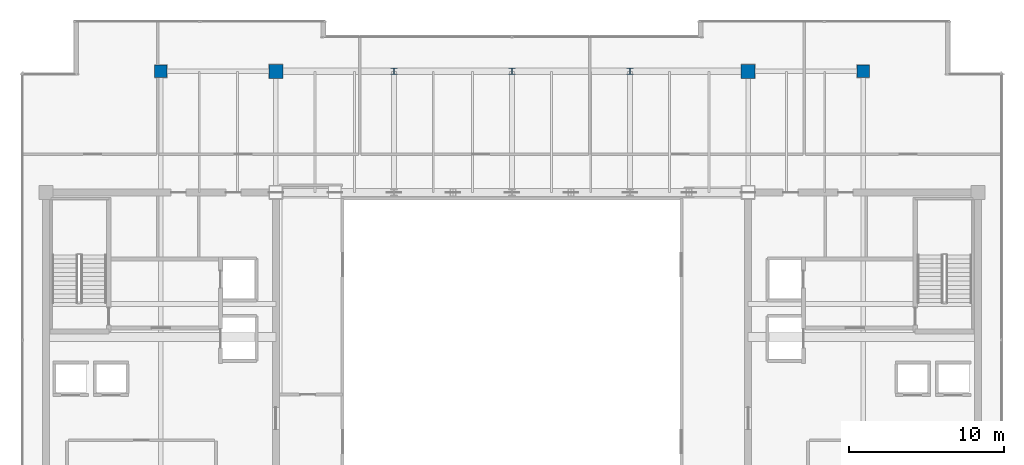
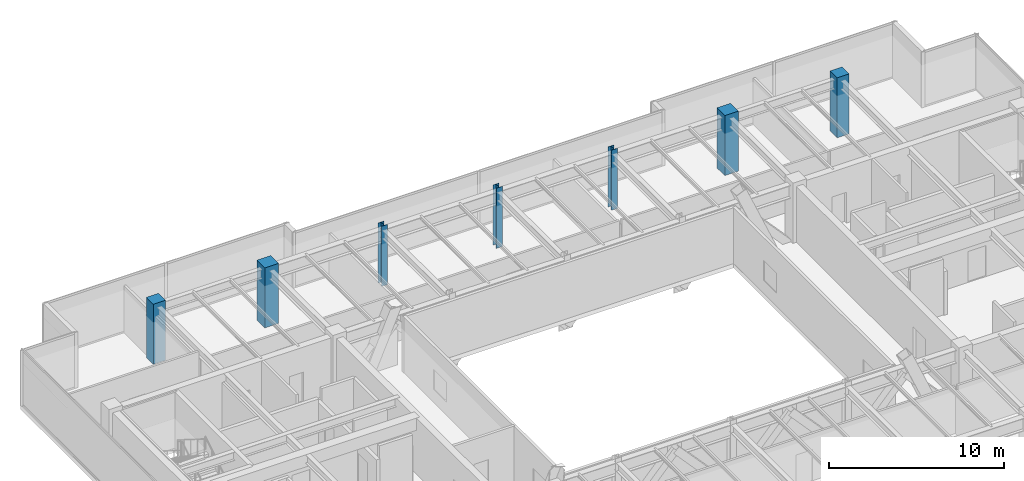
# One storey, part 3 of 32: 7 columns.
"""IFC4 building model written with IfcOpenShell, lengths in metres."""

from ifc_helpers import new_model, si_unit, direction, frame, origin, origin_2d, place, context, subcontext, project, spatial, rectangle, i_section, extrude, source, transform, mapped, material, material_profile, profile_set, type_object, type_shapes, element, save


model = new_model("IFC4")

# Units and contexts
model_context = context("Model", 3, precision=1e-05, world=origin(), true_north=direction((0.0, 1.0)))
body_context = subcontext(model_context, "Body", "Model", "MODEL_VIEW")
ifc_project = project(units=[si_unit("LENGTHUNIT", "METRE"), si_unit("AREAUNIT", "SQUARE_METRE"), si_unit("VOLUMEUNIT", "CUBIC_METRE"), si_unit("PLANEANGLEUNIT", "RADIAN"), si_unit("MASSUNIT", "GRAM", prefix="KILO")], contexts=[model_context])

# Site, building, storey
site_placement = place(None, origin())
site = spatial("IfcSite", under=ifc_project, at=site_placement, CompositionType="ELEMENT")
building_placement = place(site_placement, origin())
building = spatial("IfcBuilding", under=site, at=building_placement, Name="Haelvirn Gate Laboratories", CompositionType="ELEMENT")
storey_placement = place(building_placement, frame((0.0, 0.0, 301.800048828125)))
storey = spatial("IfcBuildingStorey", under=building, at=storey_placement, Name="L72", CompositionType="ELEMENT", Elevation=301.800048828125)

# Columns
ifc_material_1 = material(Name="Concrete C50/60", Category="concrete")
ifc_material_profile_1 = material_profile(ifc_material_1, rectangle(XDim=0.800048828125, YDim=0.800048828125, at=origin_2d()), Name="RC-800x800")
ifc_profile_set_1 = profile_set([ifc_material_profile_1], Name="Concrete C50/60")
column_type_1 = type_object("IfcColumnType", Name="COL-RC-800", PredefinedType="COLUMN", material=ifc_profile_set_1)
shared_shape_1 = source(origin(), body_context, "Body", "SweptSolid", [
    extrude(rectangle(XDim=0.800048828125, YDim=0.800048828125, at=origin_2d()), origin(), (0.0, 0.0, 1.0), 4.199951171875),
])
type_shapes(column_type_1, [shared_shape_1])
for number, where, z_axis, x_axis, name in (
    (1, (14.800048828125, 41.60009765625, 0.0), (0.0, 0.0, 1.0), (1.0, 0.0, 0.0), "L72 Column 3G"),
    (2, (60.0, 41.60009765625, 0.0), (0.0, 0.0, 1.0), (1.0, 0.0, 0.0), "L72 Column 9G"),
):
    element("IfcColumn", number, at=place(storey_placement, frame(where, z_axis=z_axis, x_axis=x_axis)), inside=storey, type_object=column_type_1, Name=name, PredefinedType="COLUMN", context=body_context, shape_type="MappedRepresentation", body=[
        mapped(shared_shape_1, transform((0.0, 0.0, 0.0), scale=1.0)),
    ])
ifc_material_profile_2 = material_profile(ifc_material_1, rectangle(XDim=0.89990234375, YDim=0.89990234375, at=origin_2d()), Name="RC-900x900")
ifc_profile_set_2 = profile_set([ifc_material_profile_2], Name="Concrete C50/60")
column_type_2 = type_object("IfcColumnType", Name="COL-RC-900", PredefinedType="COLUMN", material=ifc_profile_set_2)
shared_shape_2 = source(origin(), body_context, "Body", "SweptSolid", [
    extrude(rectangle(XDim=0.89990234375, YDim=0.89990234375, at=origin_2d()), origin(), (0.0, 0.0, 1.0), 4.199951171875),
])
type_shapes(column_type_2, [shared_shape_2])
for number, where, z_axis, x_axis, name in (
    (3, (22.199951171875, 41.60009765625, 0.0), (0.0, 0.0, 1.0), (1.0, 0.0, 0.0), "L72 Column 4G"),
    (4, (52.60009765625, 41.60009765625, 0.0), (0.0, 0.0, 1.0), (1.0, 0.0, 0.0), "L72 Column 8G"),
):
    element("IfcColumn", number, at=place(storey_placement, frame(where, z_axis=z_axis, x_axis=x_axis)), inside=storey, type_object=column_type_2, Name=name, PredefinedType="COLUMN", context=body_context, shape_type="MappedRepresentation", body=[
        mapped(shared_shape_2, transform((0.0, 0.0, 0.0), scale=1.0)),
    ])
ifc_material_2 = material(Name="Steel SM355", Category="steel")
ifc_material_profile_3 = material_profile(ifc_material_2, i_section(OverallWidth=0.39990234375, OverallDepth=0.39990234375, WebThickness=0.02099609375, FlangeThickness=0.02099609375, at=origin_2d()), Name="H-400x400x21x21")
ifc_profile_set_3 = profile_set([ifc_material_profile_3], Name="Steel SM355")
column_type_3 = type_object("IfcColumnType", Name="COL-H-400", PredefinedType="COLUMN", material=ifc_profile_set_3)
shared_shape_3 = source(origin(), body_context, "Body", "SweptSolid", [
    extrude(i_section(OverallWidth=0.39990234375, OverallDepth=0.39990234375, WebThickness=0.02099609375, FlangeThickness=0.02099609375, at=origin_2d()), origin(), (0.0, 0.0, 1.0), 4.199951171875),
])
type_shapes(column_type_3, [shared_shape_3])
for number, where, z_axis, x_axis, name in (
    (5, (29.800048828125, 41.60009765625, 0.0), (0.0, 0.0, 1.0), (1.0, 0.0, 0.0), "L72 Column 5G"),
    (6, (37.39990234375, 41.60009765625, 0.0), (0.0, 0.0, 1.0), (1.0, 0.0, 0.0), "L72 Column 6G"),
    (7, (45.0, 41.60009765625, 0.0), (0.0, 0.0, 1.0), (1.0, 0.0, 0.0), "L72 Column 7G"),
):
    element("IfcColumn", number, at=place(storey_placement, frame(where, z_axis=z_axis, x_axis=x_axis)), inside=storey, type_object=column_type_3, Name=name, PredefinedType="COLUMN", context=body_context, shape_type="MappedRepresentation", body=[
        mapped(shared_shape_3, transform((0.0, 0.0, 0.0), scale=1.0)),
    ])

save(model, "model.ifc")
